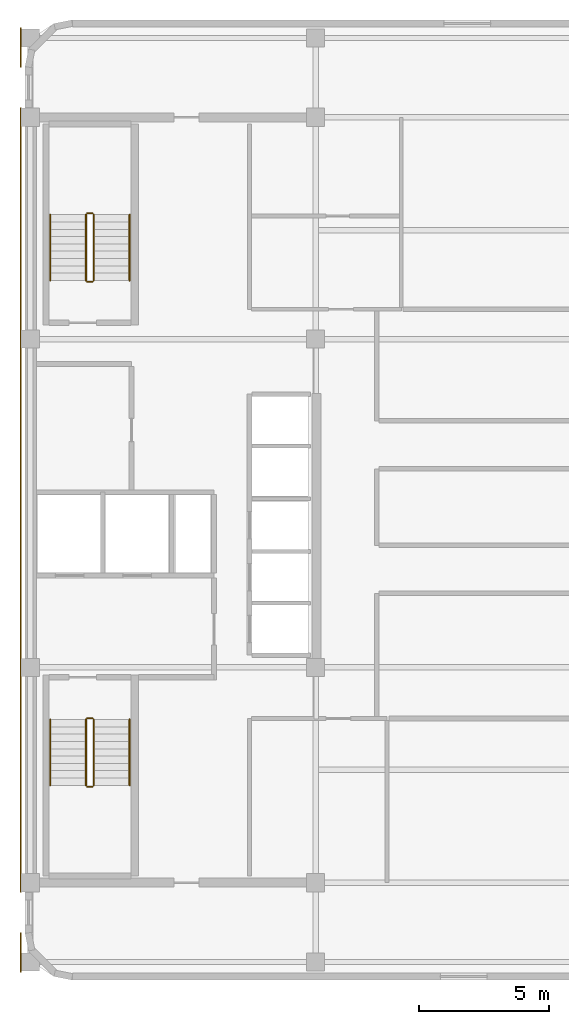
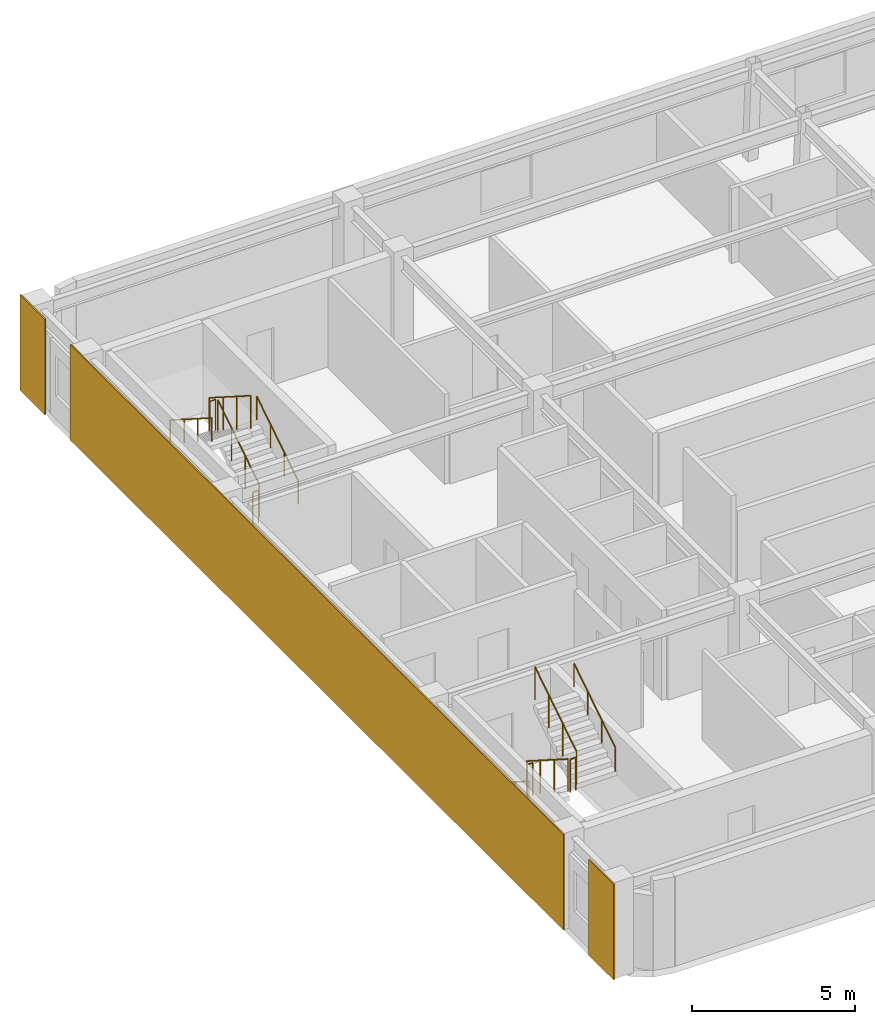
# One storey, part 6 of 6: 12 railings, 3 coverings.
"""IFC4 building model written with IfcOpenShell, lengths in metres."""

from ifc_helpers import new_model, si_unit, direction, frame, origin, origin_2d, place, context, subcontext, project, spatial, rectangle, circle, extrude, material, layer, layer_set, type_object, element, save


model = new_model("IFC4")

# Units and contexts
model_context = context("Model", 3, precision=1e-05, world=origin(), true_north=direction((0.0, 1.0)))
body_context = subcontext(model_context, "Body", "Model", "MODEL_VIEW")
ifc_project = project(units=[si_unit("LENGTHUNIT", "METRE"), si_unit("AREAUNIT", "SQUARE_METRE"), si_unit("VOLUMEUNIT", "CUBIC_METRE"), si_unit("PLANEANGLEUNIT", "RADIAN"), si_unit("MASSUNIT", "GRAM", prefix="KILO")], contexts=[model_context])

# Site, building, storey
site_placement = place(None, origin())
site = spatial("IfcSite", under=ifc_project, at=site_placement, CompositionType="ELEMENT")
building_placement = place(site_placement, origin())
building = spatial("IfcBuilding", under=site, at=building_placement, Name="Ochreholt Gables", CompositionType="ELEMENT")
storey_placement = place(building_placement, frame((0.0, 0.0, 271.199951171875)))
storey = spatial("IfcBuildingStorey", under=building, at=storey_placement, Name="L71", CompositionType="ELEMENT", Elevation=271.199951171875)

# Coverings
ifc_material_1 = material(Name="Glazed Ochre Terracotta Rainscreen Cladding", Category="masonry")
ifc_layer = layer(ifc_material_1, 0.044921875, Name="Glazed Ochre Terracotta Rainscreen Cladding")
ifc_layer_set = layer_set([ifc_layer], Name="Glazed Ochre Terracotta Rainscreen Cladding")
covering_type = type_object("IfcCoveringType", Name="COV-CLAD-TC", PredefinedType="CLADDING", material=ifc_layer_set)
covering_placement = place(storey_placement, frame((23.827880859375, 24.0, 0.010009765625), z_axis=(0.0, 0.0, 1.0), x_axis=(0.0, 1.0, 0.0)))
element("IfcCovering", 1, at=covering_placement, inside=storey, type_object=covering_type, Name="L71 West Core Terracotta Rainscreen Cladding", PredefinedType="CLADDING", context=body_context, shape_type="SweptSolid", body=[
    extrude(rectangle(XDim=30.239990234375, YDim=0.044921875, at=origin_2d()), origin(), (0.0, 0.0, 1.0), 3.580078125),
])
for number, where, z_axis, x_axis, name in (
    (2, (23.827880859375, 6.56005859375, 0.010009765625), (0.0, 0.0, 1.0), (0.0, 1.0, 0.0), "L71 South-West Pier Terracotta Cladding"),
    (3, (23.827880859375, 41.43994140625, 0.010009765625), (0.0, 0.0, 1.0), (0.0, 1.0, 0.0), "L71 North-West Pier Terracotta Cladding"),
):
    element("IfcCovering", number, at=place(storey_placement, frame(where, z_axis=z_axis, x_axis=x_axis)), inside=storey, type_object=covering_type, Name=name, PredefinedType="CLADDING", context=body_context, shape_type="SweptSolid", body=[
        extrude(rectangle(XDim=1.52001953125, YDim=0.044921875, at=origin_2d()), origin(), (0.0, 0.0, 1.0), 3.580078125),
    ])

# Railings
ifc_material_2 = material(Name="Painted Steel Stair Guardrail", Category="steel")
railing_type_1 = type_object("IfcRailingType", Name="RL-ST-GUARD", PredefinedType="GUARDRAIL", material=ifc_material_2)
railing_1_placement = place(storey_placement, frame((26.35009765625, 15.5400390625, 0.179931640625)))
element("IfcRailing", 4, at=railing_1_placement, inside=storey, type_object=railing_type_1, Name="L71 ST-1 stair guard 1", PredefinedType="GUARDRAIL", context=body_context, shape_type="SweptSolid", body=[
    extrude(circle(Radius=0.02392578125, at=origin_2d()), frame((0.0, 0.0, 1.22607421875), z_axis=(0.0, -0.842912820907, 0.538050161556), x_axis=(1.0, 0.0, 0.0)), (0.0, 0.0, 1.0), 3.010986328125),
    extrude(circle(Radius=0.02099609375, at=origin_2d()), origin(), (0.0, 0.0, 1.0), 1.201904296875),
    extrude(circle(Radius=0.02099609375, at=origin_2d()), frame((0.0, -0.845947265625, 0.5400390625)), (0.0, 0.0, 1.0), 1.201904296875),
    extrude(circle(Radius=0.02099609375, at=origin_2d()), frame((0.0, -1.692138671875, 1.080078125)), (0.0, 0.0, 1.0), 1.201904296875),
    extrude(circle(Radius=0.02099609375, at=origin_2d()), frame((0.0, -2.5380859375, 1.6201171875)), (0.0, 0.0, 1.0), 1.201904296875),
])
railing_2_placement = place(storey_placement, frame((26.39990234375, 12.951904296875, 1.800048828125)))
element("IfcRailing", 5, at=railing_2_placement, inside=storey, type_object=railing_type_1, Name="L71 ST-1 stair guard 2", PredefinedType="GUARDRAIL", context=body_context, shape_type="SweptSolid", body=[
    extrude(circle(Radius=0.02392578125, at=origin_2d()), frame((0.0, 0.0, 1.22607421875), z_axis=(1.0, 0.0, 0.0), x_axis=(0.0, 1.0, 0.0)), (0.0, 0.0, 1.0), 0.2001953125),
    extrude(circle(Radius=0.02099609375, at=origin_2d()), origin(), (0.0, 0.0, 1.0), 1.201904296875),
    extrude(circle(Radius=0.02099609375, at=origin_2d()), frame((0.2001953125, 0.0, 0.0)), (0.0, 0.0, 1.0), 1.201904296875),
])
railing_3_placement = place(storey_placement, frame((26.64990234375, 13.001953125, 1.97998046875)))
element("IfcRailing", 6, at=railing_3_placement, inside=storey, type_object=railing_type_1, Name="L71 ST-1 stair guard 3", PredefinedType="GUARDRAIL", context=body_context, shape_type="SweptSolid", body=[
    extrude(circle(Radius=0.02392578125, at=origin_2d()), frame((0.0, 0.0, 1.22607421875), z_axis=(0.0, 0.842912820907, 0.538050161556), x_axis=(-1.0, 0.0, 0.0)), (0.0, 0.0, 1.0), 3.010986328125),
    extrude(circle(Radius=0.02099609375, at=origin_2d()), origin(), (0.0, 0.0, 1.0), 1.201904296875),
    extrude(circle(Radius=0.02099609375, at=origin_2d()), frame((0.0, 0.845947265625, 0.5400390625)), (0.0, 0.0, 1.0), 1.201904296875),
    extrude(circle(Radius=0.02099609375, at=origin_2d()), frame((0.0, 1.692138671875, 1.080078125)), (0.0, 0.0, 1.0), 1.201904296875),
    extrude(circle(Radius=0.02099609375, at=origin_2d()), frame((0.0, 2.5380859375, 1.6201171875)), (0.0, 0.0, 1.0), 1.201904296875),
])
railing_4_placement = place(storey_placement, frame((26.39990234375, 15.590087890625, 0.0)))
element("IfcRailing", 7, at=railing_4_placement, inside=storey, type_object=railing_type_1, Name="L71 ST-1 stair guard 4", PredefinedType="GUARDRAIL", context=body_context, shape_type="SweptSolid", body=[
    extrude(circle(Radius=0.02392578125, at=origin_2d()), frame((0.0, 0.0, 1.22607421875), z_axis=(1.0, 0.0, 0.0), x_axis=(0.0, 1.0, 0.0)), (0.0, 0.0, 1.0), 0.2001953125),
    extrude(circle(Radius=0.02099609375, at=origin_2d()), origin(), (0.0, 0.0, 1.0), 1.201904296875),
    extrude(circle(Radius=0.02099609375, at=origin_2d()), frame((0.2001953125, 0.0, 0.0)), (0.0, 0.0, 1.0), 1.201904296875),
])
railing_5_placement = place(storey_placement, frame((26.64990234375, 32.4599609375, 0.179931640625)))
element("IfcRailing", 8, at=railing_5_placement, inside=storey, type_object=railing_type_1, Name="L71 ST-2 stair guard 1", PredefinedType="GUARDRAIL", context=body_context, shape_type="SweptSolid", body=[
    extrude(circle(Radius=0.02392578125, at=origin_2d()), frame((0.0, 0.0, 1.22607421875), z_axis=(0.0, 0.842912820907, 0.538050161556), x_axis=(-1.0, 0.0, 0.0)), (0.0, 0.0, 1.0), 3.010986328125),
    extrude(circle(Radius=0.02099609375, at=origin_2d()), origin(), (0.0, 0.0, 1.0), 1.201904296875),
    extrude(circle(Radius=0.02099609375, at=origin_2d()), frame((0.0, 0.845947265625, 0.5400390625)), (0.0, 0.0, 1.0), 1.201904296875),
    extrude(circle(Radius=0.02099609375, at=origin_2d()), frame((0.0, 1.692138671875, 1.080078125)), (0.0, 0.0, 1.0), 1.201904296875),
    extrude(circle(Radius=0.02099609375, at=origin_2d()), frame((0.0, 2.5380859375, 1.6201171875)), (0.0, 0.0, 1.0), 1.201904296875),
])
railing_6_placement = place(storey_placement, frame((26.60009765625, 35.048095703125, 1.800048828125)))
element("IfcRailing", 9, at=railing_6_placement, inside=storey, type_object=railing_type_1, Name="L71 ST-2 stair guard 2", PredefinedType="GUARDRAIL", context=body_context, shape_type="SweptSolid", body=[
    extrude(circle(Radius=0.02392578125, at=origin_2d()), frame((0.0, 0.0, 1.22607421875), z_axis=(-1.0, 0.0, 0.0), x_axis=(0.0, -1.0, 0.0)), (0.0, 0.0, 1.0), 0.2001953125),
    extrude(circle(Radius=0.02099609375, at=origin_2d()), origin(), (0.0, 0.0, 1.0), 1.201904296875),
    extrude(circle(Radius=0.02099609375, at=origin_2d()), frame((-0.2001953125, 0.0, 0.0)), (0.0, 0.0, 1.0), 1.201904296875),
])
railing_7_placement = place(storey_placement, frame((26.35009765625, 34.998046875, 1.97998046875)))
element("IfcRailing", 10, at=railing_7_placement, inside=storey, type_object=railing_type_1, Name="L71 ST-2 stair guard 3", PredefinedType="GUARDRAIL", context=body_context, shape_type="SweptSolid", body=[
    extrude(circle(Radius=0.02392578125, at=origin_2d()), frame((0.0, 0.0, 1.22607421875), z_axis=(0.0, -0.842912820907, 0.538050161556), x_axis=(1.0, 0.0, 0.0)), (0.0, 0.0, 1.0), 3.010986328125),
    extrude(circle(Radius=0.02099609375, at=origin_2d()), origin(), (0.0, 0.0, 1.0), 1.201904296875),
    extrude(circle(Radius=0.02099609375, at=origin_2d()), frame((0.0, -0.845947265625, 0.5400390625)), (0.0, 0.0, 1.0), 1.201904296875),
    extrude(circle(Radius=0.02099609375, at=origin_2d()), frame((0.0, -1.692138671875, 1.080078125)), (0.0, 0.0, 1.0), 1.201904296875),
    extrude(circle(Radius=0.02099609375, at=origin_2d()), frame((0.0, -2.5380859375, 1.6201171875)), (0.0, 0.0, 1.0), 1.201904296875),
])
railing_8_placement = place(storey_placement, frame((26.60009765625, 32.409912109375, 0.0)))
element("IfcRailing", 11, at=railing_8_placement, inside=storey, type_object=railing_type_1, Name="L71 ST-2 stair guard 4", PredefinedType="GUARDRAIL", context=body_context, shape_type="SweptSolid", body=[
    extrude(circle(Radius=0.02392578125, at=origin_2d()), frame((0.0, 0.0, 1.22607421875), z_axis=(-1.0, 0.0, 0.0), x_axis=(0.0, -1.0, 0.0)), (0.0, 0.0, 1.0), 0.2001953125),
    extrude(circle(Radius=0.02099609375, at=origin_2d()), origin(), (0.0, 0.0, 1.0), 1.201904296875),
    extrude(circle(Radius=0.02099609375, at=origin_2d()), frame((-0.2001953125, 0.0, 0.0)), (0.0, 0.0, 1.0), 1.201904296875),
])
ifc_material_3 = material(Name="Brushed Stainless Steel Wall Handrail", Category="steel")
railing_type_2 = type_object("IfcRailingType", Name="RL-ST-HAND", PredefinedType="HANDRAIL", material=ifc_material_3)
railing_9_placement = place(storey_placement, frame((24.969970703125, 15.5400390625, 0.179931640625)))
element("IfcRailing", 12, at=railing_9_placement, inside=storey, type_object=railing_type_2, Name="L71 ST-1 stair handrail 1", PredefinedType="HANDRAIL", context=body_context, shape_type="SweptSolid", body=[
    extrude(circle(Radius=0.02392578125, at=origin_2d()), frame((0.0, 0.0, 0.8759765625), z_axis=(0.0, -0.842912820907, 0.538050161556), x_axis=(1.0, 0.0, 0.0)), (0.0, 0.0, 1.0), 3.010986328125),
    extrude(circle(Radius=0.02099609375, at=origin_2d()), origin(), (0.0, 0.0, 1.0), 0.851806640625),
    extrude(circle(Radius=0.02099609375, at=origin_2d()), frame((0.0, -0.845947265625, 0.5400390625)), (0.0, 0.0, 1.0), 0.851806640625),
    extrude(circle(Radius=0.02099609375, at=origin_2d()), frame((0.0, -1.692138671875, 1.080078125)), (0.0, 0.0, 1.0), 0.851806640625),
    extrude(circle(Radius=0.02099609375, at=origin_2d()), frame((0.0, -2.5380859375, 1.6201171875)), (0.0, 0.0, 1.0), 0.851806640625),
])
for number, where, name in (
    (13, (28.030029296875, 13.001953125, 1.97998046875), "L71 ST-1 stair handrail 2"),
    (14, (28.030029296875, 32.4599609375, 0.179931640625), "L71 ST-2 stair handrail 1"),
):
    element("IfcRailing", number, at=place(storey_placement, frame(where)), inside=storey, type_object=railing_type_2, Name=name, PredefinedType="HANDRAIL", context=body_context, shape_type="SweptSolid", body=[
        extrude(circle(Radius=0.02392578125, at=origin_2d()), frame((0.0, 0.0, 0.8759765625), z_axis=(0.0, 0.842912820907, 0.538050161556), x_axis=(-1.0, 0.0, 0.0)), (0.0, 0.0, 1.0), 3.010986328125),
        extrude(circle(Radius=0.02099609375, at=origin_2d()), origin(), (0.0, 0.0, 1.0), 0.851806640625),
        extrude(circle(Radius=0.02099609375, at=origin_2d()), frame((0.0, 0.845947265625, 0.5400390625)), (0.0, 0.0, 1.0), 0.851806640625),
        extrude(circle(Radius=0.02099609375, at=origin_2d()), frame((0.0, 1.692138671875, 1.080078125)), (0.0, 0.0, 1.0), 0.851806640625),
        extrude(circle(Radius=0.02099609375, at=origin_2d()), frame((0.0, 2.5380859375, 1.6201171875)), (0.0, 0.0, 1.0), 0.851806640625),
    ])
railing_10_placement = place(storey_placement, frame((24.969970703125, 34.998046875, 1.97998046875)))
element("IfcRailing", 15, at=railing_10_placement, inside=storey, type_object=railing_type_2, Name="L71 ST-2 stair handrail 2", PredefinedType="HANDRAIL", context=body_context, shape_type="SweptSolid", body=[
    extrude(circle(Radius=0.02392578125, at=origin_2d()), frame((0.0, 0.0, 0.8759765625), z_axis=(0.0, -0.842912820907, 0.538050161556), x_axis=(1.0, 0.0, 0.0)), (0.0, 0.0, 1.0), 3.010986328125),
    extrude(circle(Radius=0.02099609375, at=origin_2d()), origin(), (0.0, 0.0, 1.0), 0.851806640625),
    extrude(circle(Radius=0.02099609375, at=origin_2d()), frame((0.0, -0.845947265625, 0.5400390625)), (0.0, 0.0, 1.0), 0.851806640625),
    extrude(circle(Radius=0.02099609375, at=origin_2d()), frame((0.0, -1.692138671875, 1.080078125)), (0.0, 0.0, 1.0), 0.851806640625),
    extrude(circle(Radius=0.02099609375, at=origin_2d()), frame((0.0, -2.5380859375, 1.6201171875)), (0.0, 0.0, 1.0), 0.851806640625),
])

save(model, "model.ifc")
